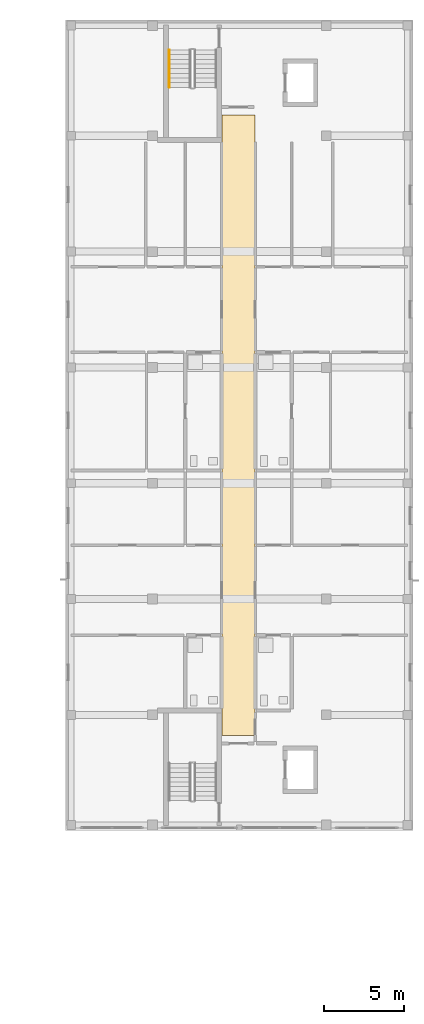
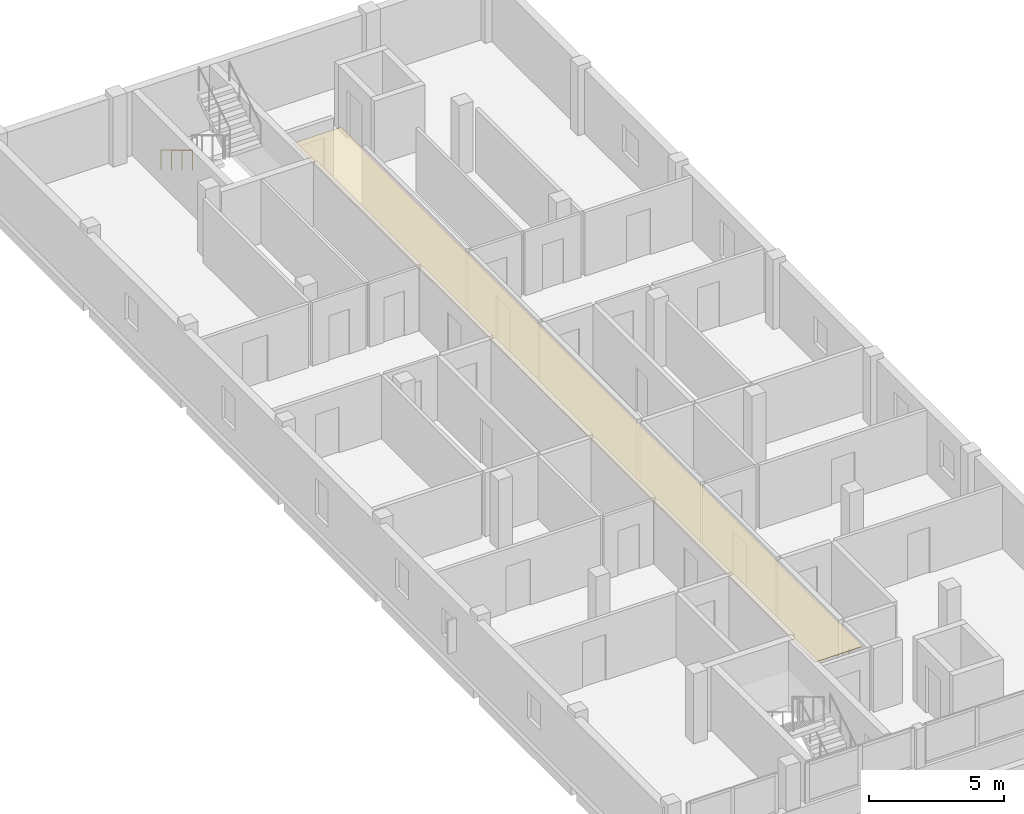
# One storey, part 35 of 38: 1 covering, 1 railing.
"""IFC4 building model written with IfcOpenShell, lengths in metres."""

from ifc_helpers import new_model, si_unit, derived_unit, direction, frame, origin, origin_2d, place, context, subcontext, project, spatial, polyline, circle, outline, extrude, material, layer, layer_set, type_object, element, save


model = new_model("IFC4")

# Units and contexts
model_context = context("Model", 3, precision=1e-05, world=origin(), true_north=direction((0.0, 1.0)))
body_context = subcontext(model_context, "Body", "Model", "MODEL_VIEW")
ifc_project = project(units=[si_unit("LENGTHUNIT", "METRE"), si_unit("AREAUNIT", "SQUARE_METRE"), si_unit("VOLUMEUNIT", "CUBIC_METRE"), si_unit("PLANEANGLEUNIT", "RADIAN"), si_unit("MASSUNIT", "GRAM", prefix="KILO"), derived_unit("THERMALTRANSMITTANCEUNIT", [(si_unit("MASSUNIT", "GRAM", prefix="KILO"), 1), (si_unit("TIMEUNIT", "SECOND"), -3), (si_unit("THERMODYNAMICTEMPERATUREUNIT", "KELVIN"), -1)])], contexts=[model_context])

# Site, building, storey
site_placement = place(None, origin())
site = spatial("IfcSite", under=ifc_project, at=site_placement, CompositionType="ELEMENT")
building_placement = place(site_placement, origin())
building = spatial("IfcBuilding", under=site, at=building_placement, Name="Ochrekiln Boulevard Commons", CompositionType="ELEMENT")
storey_placement = place(building_placement, frame((0.0, 0.0, 24.675048828125)))
storey = spatial("IfcBuildingStorey", under=building, at=storey_placement, Name="L07", CompositionType="ELEMENT", Elevation=24.675048828125)

# Covering
ifc_material_1 = material(Name="Mineral-fibre acoustic ceiling tile")
ifc_layer = layer(ifc_material_1, 0.02490234375)
ifc_layer_set = layer_set([ifc_layer], Name="Mineral-fibre acoustic ceiling tile")
covering_type = type_object("IfcCoveringType", Name="COV-CEIL-AC", PredefinedType="CEILING", material=ifc_layer_set)
covering_placement = place(storey_placement, frame((0.0, 0.0, 2.64990234375)))
element("IfcCovering", 1, at=covering_placement, inside=storey, type_object=covering_type, Name="L07 Acoustic Corridor Ceiling 56", PredefinedType="CEILING", context=body_context, shape_type="SweptSolid", body=[
    extrude(outline(polyline([(160.919921875, 74.320068359375), (162.97998046875, 74.320068359375), (162.97998046875, 112.8798828125), (160.919921875, 112.8798828125), (160.919921875, 74.320068359375)])), origin(), (0.0, 0.0, 1.0), 0.025146484375),
])

# Railing
ifc_material_2 = material(Name="Brushed stainless steel 316 tubular railing", Category="steel")
railing_type = type_object("IfcRailingType", Name="RLG-HDR-900", PredefinedType="HANDRAIL", material=ifc_material_2)
railing_placement = place(storey_placement, frame((157.64990234375, 116.929931640625, 0.175048828125)))
element("IfcRailing", 2, at=railing_placement, inside=storey, type_object=railing_type, Name="L07 ST-B2 stair handrail 1", PredefinedType="HANDRAIL", context=body_context, shape_type="SweptSolid", body=[
    extrude(circle(Radius=0.02392578125, at=origin_2d()), frame((0.0, 0.0, 0.8759765625), z_axis=(0.0, -0.856186286599, 0.516667245565), x_axis=(1.0, 0.0, 0.0)), (0.0, 0.0, 1.0), 2.70947265625),
    extrude(circle(Radius=0.02099609375, at=origin_2d()), origin(), (0.0, 0.0, 1.0), 0.851806640625),
    extrude(circle(Radius=0.02099609375, at=origin_2d()), frame((0.0, -0.773193359375, 0.466552734375)), (0.0, 0.0, 1.0), 0.851806640625),
    extrude(circle(Radius=0.02099609375, at=origin_2d()), frame((0.0, -1.546630859375, 0.933349609375)), (0.0, 0.0, 1.0), 0.851806640625),
    extrude(circle(Radius=0.02099609375, at=origin_2d()), frame((0.0, -2.31982421875, 1.39990234375)), (0.0, 0.0, 1.0), 0.851806640625),
])

save(model, "model.ifc")
